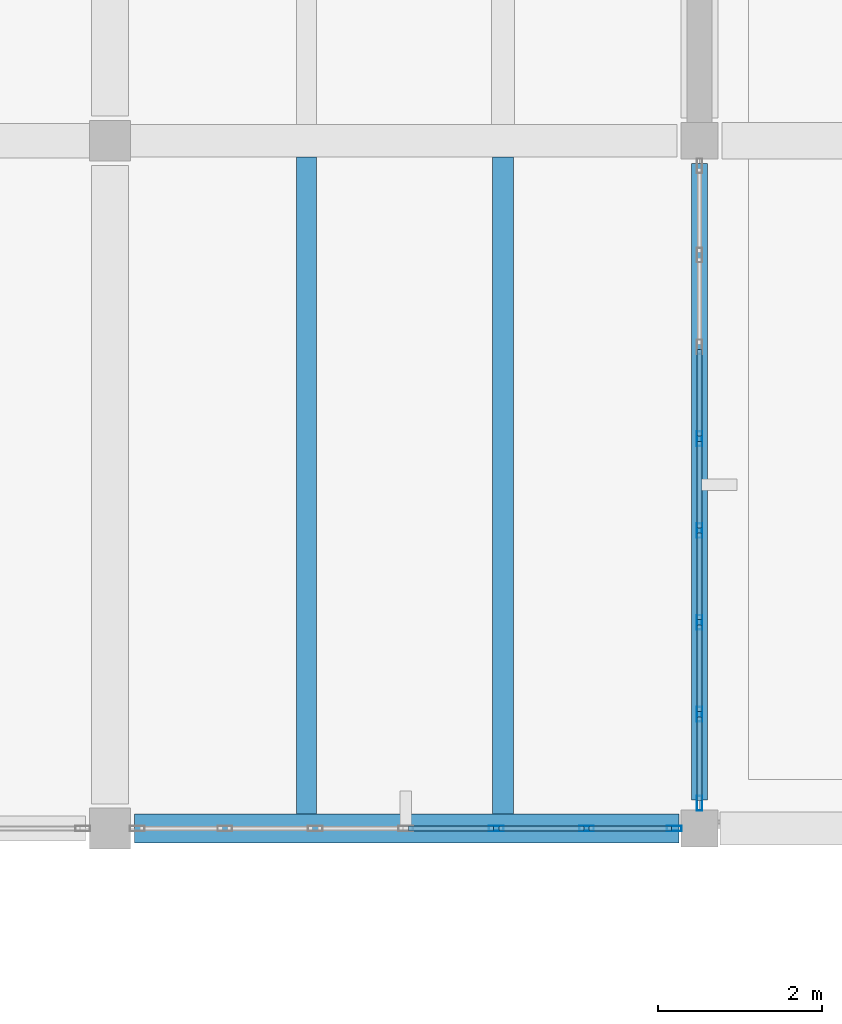
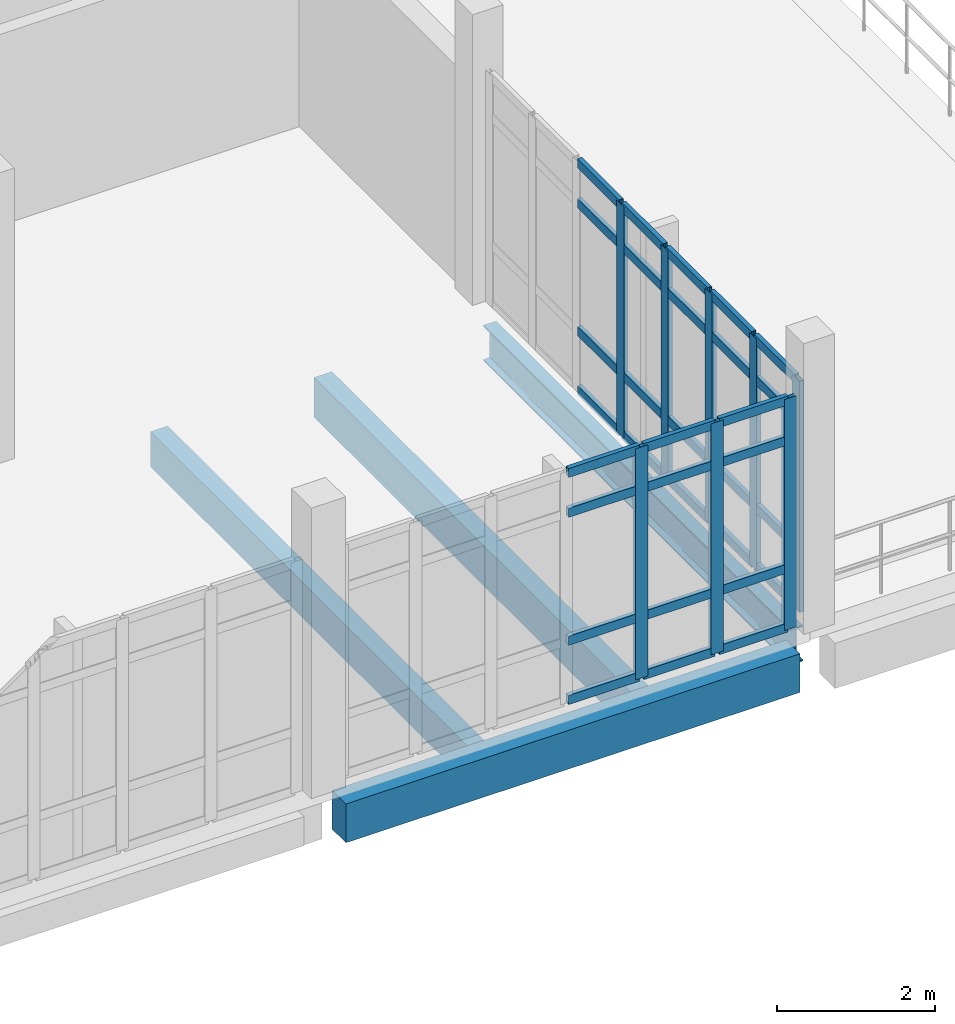
# One storey, part 20 of 41: 40 members, 4 beams, 2 elements without a shape of their own.
"""IFC4 building model written with IfcOpenShell, lengths in metres."""

import ifcopenshell
import ifcopenshell.guid

model = None  # the IFC model being written
_history = None  # IfcOwnerHistory: only IFC2X3 demands one
_inside = {}  # id of a spatial element -> (the spatial element, [elements in it])
_under = {}  # id of a project, library or spatial element -> (it, [spatial elements below it])
_declared = {}  # id of a project -> (the project, [libraries it declares])
_typed = {}  # id of a type object -> (the type object, [elements of that type])
_made_of = {}  # id of a material, layer set ... -> (it, [elements and type objects made of it])


def new_model(schema):
    """Start an empty IFC model of exactly this schema.

    Asked for "IFC4X3", IfcOpenShell would pick the latest addendum, in which some entities
    have other attributes; the version numbers below select the first issue.
    IFC2X3 requires an IfcOwnerHistory on every rooted entity: one is made here for all.
    """
    global model, _history
    if schema == "IFC4X3":
        model = ifcopenshell.file(schema_version=(4, 3, 0, 0))
    else:
        model = ifcopenshell.file(schema=schema)
    _inside.clear()
    _under.clear()
    _declared.clear()
    _typed.clear()
    _made_of.clear()
    _history = None
    if model.schema == "IFC2X3":
        org = make("IfcOrganization", Name="unknown")
        user = make(
            "IfcPersonAndOrganization",
            ThePerson=make("IfcPerson", FamilyName="unknown"),
            TheOrganization=org,
        )
        app = make(
            "IfcApplication",
            ApplicationDeveloper=org,
            Version="unknown",
            ApplicationFullName="unknown",
            ApplicationIdentifier="unknown",
        )
        _history = make(
            "IfcOwnerHistory",
            OwningUser=user,
            OwningApplication=app,
            ChangeAction="ADDED",
            CreationDate=0,
        )
    return model


def make(cls, **values):
    """One entity of the class cls with the attributes given. An attribute that is None is left unset."""
    return model.create_entity(
        cls, **{name: value for name, value in values.items() if value is not None}
    )


def rooted(cls, **values):
    """An entity with a GlobalId (a new one), such as an element, a storey or a relation."""
    return make(cls, GlobalId=ifcopenshell.guid.new(), OwnerHistory=_history, **values)


def si_unit(unit_type, name, prefix=None):
    """IfcSIUnit, for example si_unit("LENGTHUNIT", "METRE", prefix="MILLI")."""
    return make("IfcSIUnit", UnitType=unit_type, Prefix=prefix, Name=name)


def assignment(units):
    """IfcUnitAssignment: the units of a project."""
    return None if units is None else make("IfcUnitAssignment", Units=units)


def point(xyz):
    """IfcCartesianPoint."""
    return None if xyz is None else make("IfcCartesianPoint", Coordinates=xyz)


def direction(xyz):
    """IfcDirection."""
    return None if xyz is None else make("IfcDirection", DirectionRatios=xyz)


def frame(location, z_axis=None, x_axis=None):
    """IfcAxis2Placement3D, a coordinate frame: its origin and axes. An axis left out is left unset."""
    return make(
        "IfcAxis2Placement3D",
        Location=point(location),
        Axis=direction(z_axis),
        RefDirection=direction(x_axis),
    )


def frame_2d(location, x_axis=None):
    """IfcAxis2Placement2D, a coordinate frame in the plane: its origin and x axis."""
    return make(
        "IfcAxis2Placement2D", Location=point(location), RefDirection=direction(x_axis)
    )


def origin():
    """The frame at (0, 0, 0) with its axes left unset."""
    return frame((0.0, 0.0, 0.0))


def origin_2d():
    """The frame at (0, 0) in the plane with its x axis left unset."""
    return frame_2d((0.0, 0.0))


def place(relative_to, where):
    """IfcLocalPlacement: puts the frame where relative to a parent placement (None: the world)."""
    return make(
        "IfcLocalPlacement", PlacementRelTo=relative_to, RelativePlacement=where
    )


def context(
    kind, dimensions, precision=None, world=None, true_north=None, identifier=None
):
    """IfcGeometricRepresentationContext, for example the 3D "Model" context."""
    return make(
        "IfcGeometricRepresentationContext",
        ContextIdentifier=identifier,
        ContextType=kind,
        CoordinateSpaceDimension=dimensions,
        Precision=precision,
        WorldCoordinateSystem=world,
        TrueNorth=true_north,
    )


def subcontext(parent, identifier, kind, view, scale=None):
    """IfcGeometricRepresentationSubContext, for example "Body" below "Model"."""
    return make(
        "IfcGeometricRepresentationSubContext",
        ContextIdentifier=identifier,
        ContextType=kind,
        ParentContext=parent,
        TargetScale=scale,
        TargetView=view,
    )


def project(units=None, contexts=None):
    """IfcProject with its units and contexts."""
    return rooted(
        "IfcProject",
        Name="project",
        RepresentationContexts=contexts,
        UnitsInContext=assignment(units),
    )


def spatial(cls, under=None, at=None, **own):
    """A site, building, storey or space (cls), placed at a placement, below another one or the project."""
    s = rooted(cls, ObjectPlacement=at, **own)
    if under is not None:
        _under.setdefault(under.id(), (under, []))[1].append(s)
    return s


def profile(cls, at=None, kind="AREA", **sizes):
    """A parametric profile (cls). Its sizes go by their IFC names, for example OverallWidth=200.0."""
    return make(cls, ProfileType=kind, Position=at, **sizes)


def rectangle(**sizes):
    """IfcRectangleProfileDef."""
    return profile("IfcRectangleProfileDef", **sizes)


def hollow_rectangle(**sizes):
    """IfcRectangleHollowProfileDef."""
    return profile("IfcRectangleHollowProfileDef", **sizes)


def i_section(**sizes):
    """IfcIShapeProfileDef."""
    return profile("IfcIShapeProfileDef", **sizes)


def extrude(swept, where, along, depth):
    """IfcExtrudedAreaSolid: the profile swept, set in the frame where, extruded along a direction by depth."""
    return make(
        "IfcExtrudedAreaSolid",
        SweptArea=swept,
        Position=where,
        ExtrudedDirection=direction(along),
        Depth=depth,
    )


def shape(context_of_items, identifier, shape_type, items):
    """IfcShapeRepresentation: the items that make up one representation, for example the "Body"."""
    return make(
        "IfcShapeRepresentation",
        ContextOfItems=context_of_items,
        RepresentationIdentifier=identifier,
        RepresentationType=shape_type,
        Items=items,
    )


def material(Name=None, Category=None):
    """IfcMaterial."""
    return make("IfcMaterial", Name=Name, Category=Category)


def material_profile(
    of_material, cross_section, Name=None, Category=None, Priority=None
):
    """IfcMaterialProfile: a cross section and its material."""
    return make(
        "IfcMaterialProfile",
        Name=Name,
        Material=of_material,
        Profile=cross_section,
        Priority=Priority,
        Category=Category,
    )


def profile_set(profiles, Name=None, composite=None):
    """IfcMaterialProfileSet."""
    return make(
        "IfcMaterialProfileSet",
        Name=Name,
        MaterialProfiles=profiles,
        CompositeProfile=composite,
    )


def made_of(thing, what):
    """Note that an element or type object is made of a material, layer set ...; save() writes the relation."""
    if what is not None:
        _made_of.setdefault(what.id(), (what, []))[1].append(thing)
    return thing


def type_object(cls, material=None, **own):
    """A type object (cls), such as IfcWallType, which elements share."""
    return made_of(rooted(cls, **own), material)


def element(
    cls,
    number,
    at=None,
    inside=None,
    cuts=None,
    type_object=None,
    material=None,
    context=None,
    identifier="Body",
    shape_type=None,
    held_by="IfcProductDefinitionShape",
    body=None,
    shapes=None,
    **own,
):
    """One element of the class cls, such as IfcWall. Its Tag is "e" and its number.

    at: its placement. inside: the storey or other place that contains it. cuts: it is an
    opening in that element (IfcRelVoidsElement). A single representation is given by context,
    identifier, shape_type and body (its items); several are given by shapes. held_by: the class
    of the entity that holds the representations. save() writes the other relations.
    """
    e = rooted(cls, Tag="e%d" % number, ObjectPlacement=at, **own)
    if body is not None:
        shapes = [shape(context, identifier, shape_type, body)]
    if shapes is not None:
        e.Representation = make(held_by, Representations=shapes)
    if inside is not None:
        _inside.setdefault(inside.id(), (inside, []))[1].append(e)
    if cuts is not None:
        rooted(
            "IfcRelVoidsElement", RelatingBuildingElement=cuts, RelatedOpeningElement=e
        )
    if type_object is not None:
        _typed.setdefault(type_object.id(), (type_object, []))[1].append(e)
    return made_of(e, material)


def aggregate(whole, parts):
    """IfcRelAggregates: a whole, such as a stair, and the parts it consists of."""
    return rooted("IfcRelAggregates", RelatingObject=whole, RelatedObjects=parts)


def save(model, path):
    """Write the relations noted so far, then the file.

    IfcRelAggregates (storeys below a building ...), IfcRelContainedInSpatialStructure (elements
    in a storey), IfcRelDefinesByType, IfcRelAssociatesMaterial and IfcRelDeclares: one each for
    every whole, place, type object, material and project.
    """
    for whole, parts in _under.values():
        aggregate(whole, parts)
    for where, things in _inside.values():
        rooted(
            "IfcRelContainedInSpatialStructure",
            RelatedElements=things,
            RelatingStructure=where,
        )
    for kind, things in _typed.values():
        rooted("IfcRelDefinesByType", RelatedObjects=things, RelatingType=kind)
    for what, things in _made_of.values():
        rooted("IfcRelAssociatesMaterial", RelatedObjects=things, RelatingMaterial=what)
    for by, libraries in _declared.values():
        rooted("IfcRelDeclares", RelatingContext=by, RelatedDefinitions=libraries)
    model.write(path)


model = new_model("IFC4")

# Units and contexts
model_context = context("Model", 3, precision=1e-05, world=origin(), true_north=direction((0.0, 1.0)))
body_context = subcontext(model_context, "Body", "Model", "MODEL_VIEW")
ifc_project = project(units=[si_unit("LENGTHUNIT", "METRE"), si_unit("AREAUNIT", "SQUARE_METRE"), si_unit("VOLUMEUNIT", "CUBIC_METRE"), si_unit("PLANEANGLEUNIT", "RADIAN"), si_unit("MASSUNIT", "GRAM", prefix="KILO")], contexts=[model_context])

# Site, building, storey
site_placement = place(None, origin())
site = spatial("IfcSite", under=ifc_project, at=site_placement, CompositionType="ELEMENT")
building_placement = place(site_placement, origin())
building = spatial("IfcBuilding", under=site, at=building_placement, Name="Kalluvel Institute of Natural Sciences", CompositionType="ELEMENT")
storey_placement = place(building_placement, frame((0.0, 0.0, 32.39990234375)))
storey = spatial("IfcBuildingStorey", under=building, at=storey_placement, Name="L07", CompositionType="ELEMENT", Elevation=32.39990234375)

# Beam
ifc_material_1 = material(Name="Steel E350 Grade 350", Category="steel")
ifc_material_profile_1 = material_profile(ifc_material_1, i_section(OverallWidth=0.18994140625, OverallDepth=0.550048828125, WebThickness=0.01123046875, FlangeThickness=0.019287109375, FilletRadius=0.01806640625, at=origin_2d()), Name="ISMB 550")
ifc_profile_set_1 = profile_set([ifc_material_profile_1], Name="Steel E350 Grade 350")
beam_type_1 = type_object("IfcBeamType", Name="BM-ISMB550", PredefinedType="BEAM", material=ifc_profile_set_1)
beam_1_placement = place(storey_placement, frame((100.39990234375, 103.14990234375, -0.594970703125), z_axis=(0.0, 1.0, 0.0), x_axis=(-1.0, 0.0, 0.0)))
element("IfcBeam", 1, at=beam_1_placement, inside=storey, type_object=beam_type_1, Name="L07 girder GIR-L07-NS-X1004-Y1028", PredefinedType="BEAM", context=body_context, shape_type="SweptSolid", body=[
    extrude(i_section(OverallWidth=0.18994140625, OverallDepth=0.550048828125, WebThickness=0.01123046875, FlangeThickness=0.019287109375, FilletRadius=0.01806640625, at=origin_2d()), origin(), (0.0, 0.0, 1.0), 7.775146484375),
])

# Curtain wall, members
ifc_material_2 = material(Name="Aluminium AW-6063 T6", Category="aluminium")
curtain_wall_type = type_object("IfcCurtainWallType", Name="CW-WET-45", PredefinedType="USERDEFINED", material=ifc_material_2)
curtain_wall_1_placement = place(storey_placement, origin())
curtain_wall_1 = element("IfcCurtainWall", 2, at=curtain_wall_1_placement, inside=storey, type_object=curtain_wall_type, Name="L07 Gothic lancet curtain wall CWA-L07-X935-Y1028", ObjectType="UNITISED LANCET FACADE", PredefinedType="USERDEFINED")
ifc_material_profile_2 = material_profile(ifc_material_2, hollow_rectangle(XDim=0.06494140625, YDim=0.179931640625, WallThickness=0.00439453125, at=origin_2d()), Name="CWM 65x180")
ifc_profile_set_2 = profile_set([ifc_material_profile_2], Name="Aluminium AW-6063 T6")
member_type_1 = type_object("IfcMemberType", Name="CWM-65x180", PredefinedType="MULLION", material=ifc_profile_set_2)
member_1_placement = place(storey_placement, frame((97.916748046875, 102.800048828125, 0.0), z_axis=(0.0, 0.0, 1.0), x_axis=(0.0, 1.0, 0.0)))
member_1 = element("IfcMember", 3, at=member_1_placement, type_object=member_type_1, Name="CW-01 mullion 5", PredefinedType="MULLION", context=body_context, shape_type="SweptSolid", body=[
    extrude(hollow_rectangle(XDim=0.06494140625, YDim=0.179931640625, WallThickness=0.00439453125, at=origin_2d()), origin(), (0.0, 0.0, 1.0), 3.580078125),
])
member_2_placement = place(storey_placement, frame((99.020751953125, 102.800048828125, 0.0), z_axis=(0.0, 0.0, 1.0), x_axis=(0.0, 1.0, 0.0)))
member_2 = element("IfcMember", 4, at=member_2_placement, type_object=member_type_1, Name="CW-01 mullion 6", PredefinedType="MULLION", context=body_context, shape_type="SweptSolid", body=[
    extrude(hollow_rectangle(XDim=0.06494140625, YDim=0.179931640625, WallThickness=0.00439453125, at=origin_2d()), origin(), (0.0, 0.0, 1.0), 3.580078125),
])
member_3_placement = place(storey_placement, frame((100.092529296875, 102.800048828125, 0.0), z_axis=(0.0, 0.0, 1.0), x_axis=(0.0, 1.0, 0.0)))
member_3 = element("IfcMember", 5, at=member_3_placement, type_object=member_type_1, Name="CW-01 mullion 7", PredefinedType="MULLION", context=body_context, shape_type="SweptSolid", body=[
    extrude(hollow_rectangle(XDim=0.06494140625, YDim=0.179931640625, WallThickness=0.00439453125, at=origin_2d()), origin(), (0.0, 0.0, 1.0), 3.580078125),
])

curtain_wall_2_placement = place(storey_placement, origin())
curtain_wall_2 = element("IfcCurtainWall", 6, at=curtain_wall_2_placement, inside=storey, type_object=curtain_wall_type, Name="L07 Gothic lancet curtain wall CWA-L07-X1004-Y1031", ObjectType="UNITISED LANCET FACADE", PredefinedType="USERDEFINED")
member_4_placement = place(storey_placement, frame((100.39990234375, 103.107421875, 0.0), z_axis=(0.0, 0.0, 1.0), x_axis=(-1.0, 0.0, 0.0)))
member_4 = element("IfcMember", 7, at=member_4_placement, type_object=member_type_1, Name="CW-01 mullion 1", PredefinedType="MULLION", context=body_context, shape_type="SweptSolid", body=[
    extrude(hollow_rectangle(XDim=0.06494140625, YDim=0.179931640625, WallThickness=0.00439453125, at=origin_2d()), origin(), (0.0, 0.0, 1.0), 3.580078125),
])
member_5_placement = place(storey_placement, frame((100.39990234375, 104.196533203125, 0.0), z_axis=(0.0, 0.0, 1.0), x_axis=(-1.0, 0.0, 0.0)))
member_5 = element("IfcMember", 8, at=member_5_placement, type_object=member_type_1, Name="CW-01 mullion 2", PredefinedType="MULLION", context=body_context, shape_type="SweptSolid", body=[
    extrude(hollow_rectangle(XDim=0.06494140625, YDim=0.179931640625, WallThickness=0.00439453125, at=origin_2d()), origin(), (0.0, 0.0, 1.0), 3.580078125),
])
member_6_placement = place(storey_placement, frame((100.39990234375, 105.31787109375, 0.0), z_axis=(0.0, 0.0, 1.0), x_axis=(-1.0, 0.0, 0.0)))
member_6 = element("IfcMember", 9, at=member_6_placement, type_object=member_type_1, Name="CW-01 mullion 3", PredefinedType="MULLION", context=body_context, shape_type="SweptSolid", body=[
    extrude(hollow_rectangle(XDim=0.06494140625, YDim=0.179931640625, WallThickness=0.00439453125, at=origin_2d()), origin(), (0.0, 0.0, 1.0), 3.580078125),
])
member_7_placement = place(storey_placement, frame((100.39990234375, 106.439208984375, 0.0), z_axis=(0.0, 0.0, 1.0), x_axis=(-1.0, 0.0, 0.0)))
member_7 = element("IfcMember", 10, at=member_7_placement, type_object=member_type_1, Name="CW-01 mullion 4", PredefinedType="MULLION", context=body_context, shape_type="SweptSolid", body=[
    extrude(hollow_rectangle(XDim=0.06494140625, YDim=0.179931640625, WallThickness=0.00439453125, at=origin_2d()), origin(), (0.0, 0.0, 1.0), 3.580078125),
])
member_8_placement = place(storey_placement, frame((100.39990234375, 107.560791015625, 0.0), z_axis=(0.0, 0.0, 1.0), x_axis=(-1.0, 0.0, 0.0)))
member_8 = element("IfcMember", 11, at=member_8_placement, type_object=member_type_1, Name="CW-01 mullion 5", PredefinedType="MULLION", context=body_context, shape_type="SweptSolid", body=[
    extrude(hollow_rectangle(XDim=0.06494140625, YDim=0.179931640625, WallThickness=0.00439453125, at=origin_2d()), origin(), (0.0, 0.0, 1.0), 3.580078125),
])

# Member
ifc_material_profile_3 = material_profile(ifc_material_2, hollow_rectangle(XDim=0.06494140625, YDim=0.139892578125, WallThickness=0.00439453125, at=origin_2d()), Name="CWT 65x140")
ifc_profile_set_3 = profile_set([ifc_material_profile_3], Name="Aluminium AW-6063 T6")
member_type_2 = type_object("IfcMemberType", Name="CWT-65x140", PredefinedType="USERDEFINED", material=ifc_profile_set_3)
member_9_placement = place(storey_placement, frame((96.844970703125, 102.800048828125, 0.03271484375), z_axis=(1.0, 0.0, 0.0), x_axis=(0.0, 1.0, 0.0)))
member_9 = element("IfcMember", 12, at=member_9_placement, type_object=member_type_2, Name="CW-01 transom 4.1", ObjectType="TRANSOM", PredefinedType="USERDEFINED", context=body_context, shape_type="SweptSolid", body=[
    extrude(hollow_rectangle(XDim=0.06494140625, YDim=0.139892578125, WallThickness=0.00439453125, at=origin_2d()), origin(), (0.0, 0.0, 1.0), 1.039306640625),
])

member_10_placement = place(storey_placement, frame((96.844970703125, 102.800048828125, 0.9501953125), z_axis=(1.0, 0.0, 0.0), x_axis=(0.0, 1.0, 0.0)))
member_10 = element("IfcMember", 13, at=member_10_placement, type_object=member_type_2, Name="CW-01 transom 4.2", ObjectType="TRANSOM", PredefinedType="USERDEFINED", context=body_context, shape_type="SweptSolid", body=[
    extrude(hollow_rectangle(XDim=0.06494140625, YDim=0.139892578125, WallThickness=0.00439453125, at=origin_2d()), origin(), (0.0, 0.0, 1.0), 1.039306640625),
])

member_11_placement = place(storey_placement, frame((96.844970703125, 102.800048828125, 2.93017578125), z_axis=(1.0, 0.0, 0.0), x_axis=(0.0, 1.0, 0.0)))
member_11 = element("IfcMember", 14, at=member_11_placement, type_object=member_type_2, Name="CW-01 transom 4.3", ObjectType="TRANSOM", PredefinedType="USERDEFINED", context=body_context, shape_type="SweptSolid", body=[
    extrude(hollow_rectangle(XDim=0.06494140625, YDim=0.139892578125, WallThickness=0.00439453125, at=origin_2d()), origin(), (0.0, 0.0, 1.0), 1.039306640625),
])

member_12_placement = place(storey_placement, frame((96.844970703125, 102.800048828125, 3.547607421875), z_axis=(1.0, 0.0, 0.0), x_axis=(0.0, 1.0, 0.0)))
member_12 = element("IfcMember", 15, at=member_12_placement, type_object=member_type_2, Name="CW-01 transom 4.4", ObjectType="TRANSOM", PredefinedType="USERDEFINED", context=body_context, shape_type="SweptSolid", body=[
    extrude(hollow_rectangle(XDim=0.06494140625, YDim=0.139892578125, WallThickness=0.00439453125, at=origin_2d()), origin(), (0.0, 0.0, 1.0), 1.039306640625),
])

member_13_placement = place(storey_placement, frame((97.94921875, 102.800048828125, 0.03271484375), z_axis=(1.0, 0.0, 0.0), x_axis=(0.0, 1.0, 0.0)))
member_13 = element("IfcMember", 16, at=member_13_placement, type_object=member_type_2, Name="CW-01 transom 5.1", ObjectType="TRANSOM", PredefinedType="USERDEFINED", context=body_context, shape_type="SweptSolid", body=[
    extrude(hollow_rectangle(XDim=0.06494140625, YDim=0.139892578125, WallThickness=0.00439453125, at=origin_2d()), origin(), (0.0, 0.0, 1.0), 1.0390625),
])

member_14_placement = place(storey_placement, frame((97.94921875, 102.800048828125, 0.9501953125), z_axis=(1.0, 0.0, 0.0), x_axis=(0.0, 1.0, 0.0)))
member_14 = element("IfcMember", 17, at=member_14_placement, type_object=member_type_2, Name="CW-01 transom 5.2", ObjectType="TRANSOM", PredefinedType="USERDEFINED", context=body_context, shape_type="SweptSolid", body=[
    extrude(hollow_rectangle(XDim=0.06494140625, YDim=0.139892578125, WallThickness=0.00439453125, at=origin_2d()), origin(), (0.0, 0.0, 1.0), 1.0390625),
])

member_15_placement = place(storey_placement, frame((97.94921875, 102.800048828125, 2.93017578125), z_axis=(1.0, 0.0, 0.0), x_axis=(0.0, 1.0, 0.0)))
member_15 = element("IfcMember", 18, at=member_15_placement, type_object=member_type_2, Name="CW-01 transom 5.3", ObjectType="TRANSOM", PredefinedType="USERDEFINED", context=body_context, shape_type="SweptSolid", body=[
    extrude(hollow_rectangle(XDim=0.06494140625, YDim=0.139892578125, WallThickness=0.00439453125, at=origin_2d()), origin(), (0.0, 0.0, 1.0), 1.0390625),
])

member_16_placement = place(storey_placement, frame((97.94921875, 102.800048828125, 3.547607421875), z_axis=(1.0, 0.0, 0.0), x_axis=(0.0, 1.0, 0.0)))
member_16 = element("IfcMember", 19, at=member_16_placement, type_object=member_type_2, Name="CW-01 transom 5.4", ObjectType="TRANSOM", PredefinedType="USERDEFINED", context=body_context, shape_type="SweptSolid", body=[
    extrude(hollow_rectangle(XDim=0.06494140625, YDim=0.139892578125, WallThickness=0.00439453125, at=origin_2d()), origin(), (0.0, 0.0, 1.0), 1.0390625),
])

member_17_placement = place(storey_placement, frame((99.05322265625, 102.800048828125, 0.03271484375), z_axis=(1.0, 0.0, 0.0), x_axis=(0.0, 1.0, 0.0)))
member_17 = element("IfcMember", 20, at=member_17_placement, type_object=member_type_2, Name="CW-01 transom 6.1", ObjectType="TRANSOM", PredefinedType="USERDEFINED", context=body_context, shape_type="SweptSolid", body=[
    extrude(hollow_rectangle(XDim=0.06494140625, YDim=0.139892578125, WallThickness=0.00439453125, at=origin_2d()), origin(), (0.0, 0.0, 1.0), 1.0068359375),
])

member_18_placement = place(storey_placement, frame((99.05322265625, 102.800048828125, 0.9501953125), z_axis=(1.0, 0.0, 0.0), x_axis=(0.0, 1.0, 0.0)))
member_18 = element("IfcMember", 21, at=member_18_placement, type_object=member_type_2, Name="CW-01 transom 6.2", ObjectType="TRANSOM", PredefinedType="USERDEFINED", context=body_context, shape_type="SweptSolid", body=[
    extrude(hollow_rectangle(XDim=0.06494140625, YDim=0.139892578125, WallThickness=0.00439453125, at=origin_2d()), origin(), (0.0, 0.0, 1.0), 1.0068359375),
])

member_19_placement = place(storey_placement, frame((99.05322265625, 102.800048828125, 2.93017578125), z_axis=(1.0, 0.0, 0.0), x_axis=(0.0, 1.0, 0.0)))
member_19 = element("IfcMember", 22, at=member_19_placement, type_object=member_type_2, Name="CW-01 transom 6.3", ObjectType="TRANSOM", PredefinedType="USERDEFINED", context=body_context, shape_type="SweptSolid", body=[
    extrude(hollow_rectangle(XDim=0.06494140625, YDim=0.139892578125, WallThickness=0.00439453125, at=origin_2d()), origin(), (0.0, 0.0, 1.0), 1.0068359375),
])

member_20_placement = place(storey_placement, frame((99.05322265625, 102.800048828125, 3.547607421875), z_axis=(1.0, 0.0, 0.0), x_axis=(0.0, 1.0, 0.0)))
member_20 = element("IfcMember", 23, at=member_20_placement, type_object=member_type_2, Name="CW-01 transom 6.4", ObjectType="TRANSOM", PredefinedType="USERDEFINED", context=body_context, shape_type="SweptSolid", body=[
    extrude(hollow_rectangle(XDim=0.06494140625, YDim=0.139892578125, WallThickness=0.00439453125, at=origin_2d()), origin(), (0.0, 0.0, 1.0), 1.0068359375),
])

aggregate(curtain_wall_1, [member_1, member_2, member_3, member_9, member_10, member_11, member_12, member_13, member_14, member_15, member_16, member_17, member_18, member_19, member_20])

member_21_placement = place(storey_placement, frame((100.39990234375, 103.139892578125, 0.03271484375), z_axis=(0.0, 1.0, 0.0), x_axis=(-1.0, 0.0, 0.0)))
member_21 = element("IfcMember", 24, at=member_21_placement, type_object=member_type_2, Name="CW-01 transom 1.1", ObjectType="TRANSOM", PredefinedType="USERDEFINED", context=body_context, shape_type="SweptSolid", body=[
    extrude(hollow_rectangle(XDim=0.06494140625, YDim=0.139892578125, WallThickness=0.00439453125, at=origin_2d()), origin(), (0.0, 0.0, 1.0), 1.02392578125),
])

member_22_placement = place(storey_placement, frame((100.39990234375, 103.139892578125, 0.9501953125), z_axis=(0.0, 1.0, 0.0), x_axis=(-1.0, 0.0, 0.0)))
member_22 = element("IfcMember", 25, at=member_22_placement, type_object=member_type_2, Name="CW-01 transom 1.2", ObjectType="TRANSOM", PredefinedType="USERDEFINED", context=body_context, shape_type="SweptSolid", body=[
    extrude(hollow_rectangle(XDim=0.06494140625, YDim=0.139892578125, WallThickness=0.00439453125, at=origin_2d()), origin(), (0.0, 0.0, 1.0), 1.02392578125),
])

member_23_placement = place(storey_placement, frame((100.39990234375, 103.139892578125, 2.93017578125), z_axis=(0.0, 1.0, 0.0), x_axis=(-1.0, 0.0, 0.0)))
member_23 = element("IfcMember", 26, at=member_23_placement, type_object=member_type_2, Name="CW-01 transom 1.3", ObjectType="TRANSOM", PredefinedType="USERDEFINED", context=body_context, shape_type="SweptSolid", body=[
    extrude(hollow_rectangle(XDim=0.06494140625, YDim=0.139892578125, WallThickness=0.00439453125, at=origin_2d()), origin(), (0.0, 0.0, 1.0), 1.02392578125),
])

member_24_placement = place(storey_placement, frame((100.39990234375, 103.139892578125, 3.547607421875), z_axis=(0.0, 1.0, 0.0), x_axis=(-1.0, 0.0, 0.0)))
member_24 = element("IfcMember", 27, at=member_24_placement, type_object=member_type_2, Name="CW-01 transom 1.4", ObjectType="TRANSOM", PredefinedType="USERDEFINED", context=body_context, shape_type="SweptSolid", body=[
    extrude(hollow_rectangle(XDim=0.06494140625, YDim=0.139892578125, WallThickness=0.00439453125, at=origin_2d()), origin(), (0.0, 0.0, 1.0), 1.02392578125),
])

member_25_placement = place(storey_placement, frame((100.39990234375, 104.22900390625, 0.03271484375), z_axis=(0.0, 1.0, 0.0), x_axis=(-1.0, 0.0, 0.0)))
member_25 = element("IfcMember", 28, at=member_25_placement, type_object=member_type_2, Name="CW-01 transom 2.1", ObjectType="TRANSOM", PredefinedType="USERDEFINED", context=body_context, shape_type="SweptSolid", body=[
    extrude(hollow_rectangle(XDim=0.06494140625, YDim=0.139892578125, WallThickness=0.00439453125, at=origin_2d()), origin(), (0.0, 0.0, 1.0), 1.056396484375),
])

member_26_placement = place(storey_placement, frame((100.39990234375, 104.22900390625, 0.9501953125), z_axis=(0.0, 1.0, 0.0), x_axis=(-1.0, 0.0, 0.0)))
member_26 = element("IfcMember", 29, at=member_26_placement, type_object=member_type_2, Name="CW-01 transom 2.2", ObjectType="TRANSOM", PredefinedType="USERDEFINED", context=body_context, shape_type="SweptSolid", body=[
    extrude(hollow_rectangle(XDim=0.06494140625, YDim=0.139892578125, WallThickness=0.00439453125, at=origin_2d()), origin(), (0.0, 0.0, 1.0), 1.056396484375),
])

member_27_placement = place(storey_placement, frame((100.39990234375, 104.22900390625, 2.93017578125), z_axis=(0.0, 1.0, 0.0), x_axis=(-1.0, 0.0, 0.0)))
member_27 = element("IfcMember", 30, at=member_27_placement, type_object=member_type_2, Name="CW-01 transom 2.3", ObjectType="TRANSOM", PredefinedType="USERDEFINED", context=body_context, shape_type="SweptSolid", body=[
    extrude(hollow_rectangle(XDim=0.06494140625, YDim=0.139892578125, WallThickness=0.00439453125, at=origin_2d()), origin(), (0.0, 0.0, 1.0), 1.056396484375),
])

member_28_placement = place(storey_placement, frame((100.39990234375, 104.22900390625, 3.547607421875), z_axis=(0.0, 1.0, 0.0), x_axis=(-1.0, 0.0, 0.0)))
member_28 = element("IfcMember", 31, at=member_28_placement, type_object=member_type_2, Name="CW-01 transom 2.4", ObjectType="TRANSOM", PredefinedType="USERDEFINED", context=body_context, shape_type="SweptSolid", body=[
    extrude(hollow_rectangle(XDim=0.06494140625, YDim=0.139892578125, WallThickness=0.00439453125, at=origin_2d()), origin(), (0.0, 0.0, 1.0), 1.056396484375),
])

member_29_placement = place(storey_placement, frame((100.39990234375, 105.350341796875, 0.03271484375), z_axis=(0.0, 1.0, 0.0), x_axis=(-1.0, 0.0, 0.0)))
member_29 = element("IfcMember", 32, at=member_29_placement, type_object=member_type_2, Name="CW-01 transom 3.1", ObjectType="TRANSOM", PredefinedType="USERDEFINED", context=body_context, shape_type="SweptSolid", body=[
    extrude(hollow_rectangle(XDim=0.06494140625, YDim=0.139892578125, WallThickness=0.00439453125, at=origin_2d()), origin(), (0.0, 0.0, 1.0), 1.056396484375),
])

member_30_placement = place(storey_placement, frame((100.39990234375, 105.350341796875, 0.9501953125), z_axis=(0.0, 1.0, 0.0), x_axis=(-1.0, 0.0, 0.0)))
member_30 = element("IfcMember", 33, at=member_30_placement, type_object=member_type_2, Name="CW-01 transom 3.2", ObjectType="TRANSOM", PredefinedType="USERDEFINED", context=body_context, shape_type="SweptSolid", body=[
    extrude(hollow_rectangle(XDim=0.06494140625, YDim=0.139892578125, WallThickness=0.00439453125, at=origin_2d()), origin(), (0.0, 0.0, 1.0), 1.056396484375),
])

member_31_placement = place(storey_placement, frame((100.39990234375, 105.350341796875, 2.93017578125), z_axis=(0.0, 1.0, 0.0), x_axis=(-1.0, 0.0, 0.0)))
member_31 = element("IfcMember", 34, at=member_31_placement, type_object=member_type_2, Name="CW-01 transom 3.3", ObjectType="TRANSOM", PredefinedType="USERDEFINED", context=body_context, shape_type="SweptSolid", body=[
    extrude(hollow_rectangle(XDim=0.06494140625, YDim=0.139892578125, WallThickness=0.00439453125, at=origin_2d()), origin(), (0.0, 0.0, 1.0), 1.056396484375),
])

member_32_placement = place(storey_placement, frame((100.39990234375, 105.350341796875, 3.547607421875), z_axis=(0.0, 1.0, 0.0), x_axis=(-1.0, 0.0, 0.0)))
member_32 = element("IfcMember", 35, at=member_32_placement, type_object=member_type_2, Name="CW-01 transom 3.4", ObjectType="TRANSOM", PredefinedType="USERDEFINED", context=body_context, shape_type="SweptSolid", body=[
    extrude(hollow_rectangle(XDim=0.06494140625, YDim=0.139892578125, WallThickness=0.00439453125, at=origin_2d()), origin(), (0.0, 0.0, 1.0), 1.056396484375),
])

member_33_placement = place(storey_placement, frame((100.39990234375, 106.4716796875, 0.03271484375), z_axis=(0.0, 1.0, 0.0), x_axis=(-1.0, 0.0, 0.0)))
member_33 = element("IfcMember", 36, at=member_33_placement, type_object=member_type_2, Name="CW-01 transom 4.1", ObjectType="TRANSOM", PredefinedType="USERDEFINED", context=body_context, shape_type="SweptSolid", body=[
    extrude(hollow_rectangle(XDim=0.06494140625, YDim=0.139892578125, WallThickness=0.00439453125, at=origin_2d()), origin(), (0.0, 0.0, 1.0), 1.056640625),
])

member_34_placement = place(storey_placement, frame((100.39990234375, 106.4716796875, 0.9501953125), z_axis=(0.0, 1.0, 0.0), x_axis=(-1.0, 0.0, 0.0)))
member_34 = element("IfcMember", 37, at=member_34_placement, type_object=member_type_2, Name="CW-01 transom 4.2", ObjectType="TRANSOM", PredefinedType="USERDEFINED", context=body_context, shape_type="SweptSolid", body=[
    extrude(hollow_rectangle(XDim=0.06494140625, YDim=0.139892578125, WallThickness=0.00439453125, at=origin_2d()), origin(), (0.0, 0.0, 1.0), 1.056640625),
])

member_35_placement = place(storey_placement, frame((100.39990234375, 106.4716796875, 2.93017578125), z_axis=(0.0, 1.0, 0.0), x_axis=(-1.0, 0.0, 0.0)))
member_35 = element("IfcMember", 38, at=member_35_placement, type_object=member_type_2, Name="CW-01 transom 4.3", ObjectType="TRANSOM", PredefinedType="USERDEFINED", context=body_context, shape_type="SweptSolid", body=[
    extrude(hollow_rectangle(XDim=0.06494140625, YDim=0.139892578125, WallThickness=0.00439453125, at=origin_2d()), origin(), (0.0, 0.0, 1.0), 1.056640625),
])

member_36_placement = place(storey_placement, frame((100.39990234375, 106.4716796875, 3.547607421875), z_axis=(0.0, 1.0, 0.0), x_axis=(-1.0, 0.0, 0.0)))
member_36 = element("IfcMember", 39, at=member_36_placement, type_object=member_type_2, Name="CW-01 transom 4.4", ObjectType="TRANSOM", PredefinedType="USERDEFINED", context=body_context, shape_type="SweptSolid", body=[
    extrude(hollow_rectangle(XDim=0.06494140625, YDim=0.139892578125, WallThickness=0.00439453125, at=origin_2d()), origin(), (0.0, 0.0, 1.0), 1.056640625),
])

member_37_placement = place(storey_placement, frame((100.39990234375, 107.59326171875, 0.03271484375), z_axis=(0.0, 1.0, 0.0), x_axis=(-1.0, 0.0, 0.0)))
member_37 = element("IfcMember", 40, at=member_37_placement, type_object=member_type_2, Name="CW-01 transom 5.1", ObjectType="TRANSOM", PredefinedType="USERDEFINED", context=body_context, shape_type="SweptSolid", body=[
    extrude(hollow_rectangle(XDim=0.06494140625, YDim=0.139892578125, WallThickness=0.00439453125, at=origin_2d()), origin(), (0.0, 0.0, 1.0), 1.056396484375),
])

member_38_placement = place(storey_placement, frame((100.39990234375, 107.59326171875, 0.9501953125), z_axis=(0.0, 1.0, 0.0), x_axis=(-1.0, 0.0, 0.0)))
member_38 = element("IfcMember", 41, at=member_38_placement, type_object=member_type_2, Name="CW-01 transom 5.2", ObjectType="TRANSOM", PredefinedType="USERDEFINED", context=body_context, shape_type="SweptSolid", body=[
    extrude(hollow_rectangle(XDim=0.06494140625, YDim=0.139892578125, WallThickness=0.00439453125, at=origin_2d()), origin(), (0.0, 0.0, 1.0), 1.056396484375),
])

member_39_placement = place(storey_placement, frame((100.39990234375, 107.59326171875, 2.93017578125), z_axis=(0.0, 1.0, 0.0), x_axis=(-1.0, 0.0, 0.0)))
member_39 = element("IfcMember", 42, at=member_39_placement, type_object=member_type_2, Name="CW-01 transom 5.3", ObjectType="TRANSOM", PredefinedType="USERDEFINED", context=body_context, shape_type="SweptSolid", body=[
    extrude(hollow_rectangle(XDim=0.06494140625, YDim=0.139892578125, WallThickness=0.00439453125, at=origin_2d()), origin(), (0.0, 0.0, 1.0), 1.056396484375),
])

member_40_placement = place(storey_placement, frame((100.39990234375, 107.59326171875, 3.547607421875), z_axis=(0.0, 1.0, 0.0), x_axis=(-1.0, 0.0, 0.0)))
member_40 = element("IfcMember", 43, at=member_40_placement, type_object=member_type_2, Name="CW-01 transom 5.4", ObjectType="TRANSOM", PredefinedType="USERDEFINED", context=body_context, shape_type="SweptSolid", body=[
    extrude(hollow_rectangle(XDim=0.06494140625, YDim=0.139892578125, WallThickness=0.00439453125, at=origin_2d()), origin(), (0.0, 0.0, 1.0), 1.056396484375),
])

aggregate(curtain_wall_2, [member_4, member_5, member_6, member_7, member_8, member_21, member_22, member_23, member_24, member_25, member_26, member_27, member_28, member_29, member_30, member_31, member_32, member_33, member_34, member_35, member_36, member_37, member_38, member_39, member_40])

# Beams
ifc_material_3 = material(Name="Concrete M40", Category="concrete")
ifc_material_profile_4 = material_profile(ifc_material_3, rectangle(XDim=0.35009765625, YDim=0.60009765625, at=origin_2d()), Name="RCB 350x600")
ifc_profile_set_4 = profile_set([ifc_material_profile_4], Name="Concrete M40")
beam_type_2 = type_object("IfcBeamType", Name="SP-RC350x600", PredefinedType="SPANDREL", material=ifc_profile_set_4)
beam_2_placement = place(storey_placement, frame((93.5, 102.800048828125, -0.619873046875), z_axis=(1.0, 0.0, 0.0), x_axis=(0.0, 1.0, 0.0)))
element("IfcBeam", 44, at=beam_2_placement, inside=storey, type_object=beam_type_2, Name="L07 girder GIR-L07-EW-X932-Y1028", PredefinedType="SPANDREL", context=body_context, shape_type="SweptSolid", body=[
    extrude(rectangle(XDim=0.35009765625, YDim=0.60009765625, at=origin_2d()), origin(), (0.0, 0.0, 1.0), 6.64990234375),
])
ifc_material_profile_5 = material_profile(ifc_material_3, rectangle(XDim=0.25, YDim=0.550048828125, at=origin_2d()), Name="WAF 250x550")
ifc_profile_set_5 = profile_set([ifc_material_profile_5], Name="Concrete M40")
beam_type_3 = type_object("IfcBeamType", Name="WJ-250x550", PredefinedType="JOIST", material=ifc_profile_set_5)
beam_3_placement = place(storey_placement, frame((95.60009765625, 102.97509765625, -0.594970703125), z_axis=(0.0, 1.0, 0.0), x_axis=(-1.0, 0.0, 0.0)))
element("IfcBeam", 45, at=beam_3_placement, inside=storey, type_object=beam_type_3, Name="L07 waffle joist RIB-L07-0569", PredefinedType="JOIST", context=body_context, shape_type="SweptSolid", body=[
    extrude(rectangle(XDim=0.25, YDim=0.550048828125, at=origin_2d()), origin(), (0.0, 0.0, 1.0), 8.02490234375),
])
ifc_material_4 = material(Name="Concrete M50", Category="concrete")
ifc_material_profile_6 = material_profile(ifc_material_4, rectangle(XDim=0.260009765625, YDim=0.6201171875, at=origin_2d()), Name="WAF 260x620")
ifc_profile_set_6 = profile_set([ifc_material_profile_6], Name="Concrete M50")
beam_type_4 = type_object("IfcBeamType", Name="WJ-260x620", PredefinedType="JOIST", material=ifc_profile_set_6)
beam_4_placement = place(storey_placement, frame((98.0, 102.97509765625, -0.6298828125), z_axis=(0.0, 1.0, 0.0), x_axis=(-1.0, 0.0, 0.0)))
element("IfcBeam", 46, at=beam_4_placement, inside=storey, type_object=beam_type_4, Name="L07 waffle joist RIB-L07-0570", PredefinedType="JOIST", context=body_context, shape_type="SweptSolid", body=[
    extrude(rectangle(XDim=0.260009765625, YDim=0.6201171875, at=origin_2d()), origin(), (0.0, 0.0, 1.0), 8.02490234375),
])

save(model, "model.ifc")
